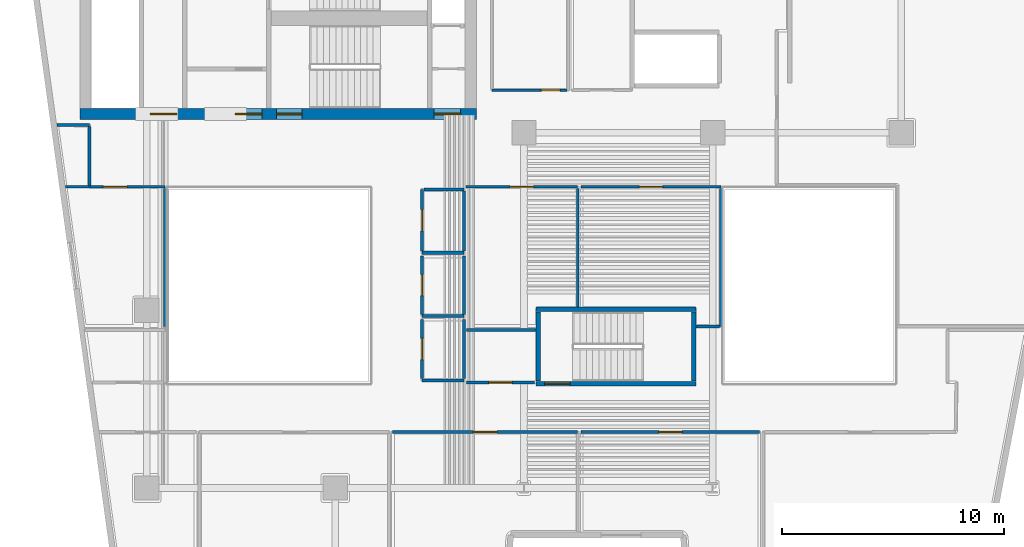
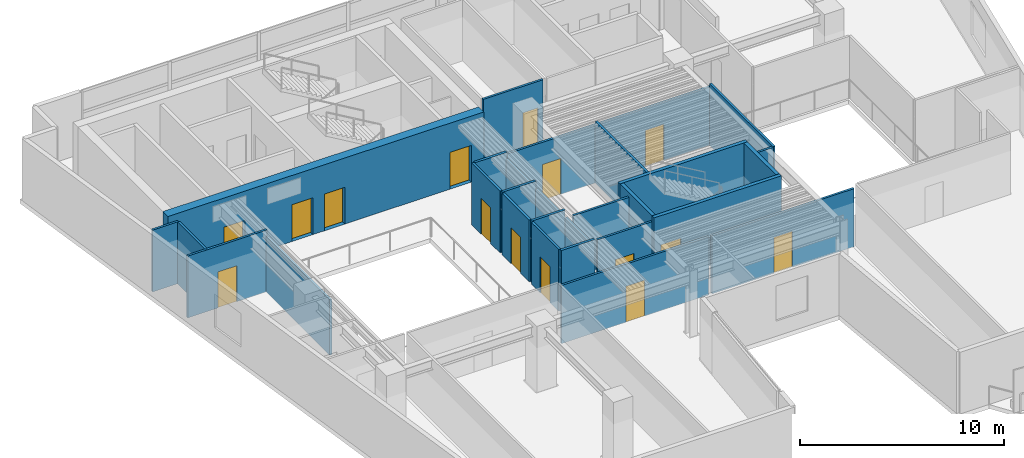
# One storey, part 6 of 12: 29 walls, 15 doors, 15 openings.
"""IFC4 building model written with IfcOpenShell, lengths in metres."""

from ifc_helpers import new_model, si_unit, direction, frame, frame_2d, origin, place, context, subcontext, project, spatial, rectangle, extrude, material, layer, layer_set, type_object, element, fill, save


model = new_model("IFC4")

# Units and contexts
model_context = context("Model", 3, precision=1e-05, world=origin(), true_north=direction((0.0, 1.0)))
body_context = subcontext(model_context, "Body", "Model", "MODEL_VIEW")
ifc_project = project(units=[si_unit("LENGTHUNIT", "METRE"), si_unit("AREAUNIT", "SQUARE_METRE"), si_unit("VOLUMEUNIT", "CUBIC_METRE"), si_unit("PLANEANGLEUNIT", "RADIAN"), si_unit("MASSUNIT", "GRAM", prefix="KILO")], contexts=[model_context])

# Site, building, storey
site_placement = place(None, origin())
site = spatial("IfcSite", under=ifc_project, at=site_placement, CompositionType="ELEMENT")
building_placement = place(site_placement, origin())
building = spatial("IfcBuilding", under=site, at=building_placement, Name="Caeloran Harvest Quay", CompositionType="ELEMENT")
storey_placement = place(building_placement, frame((0.0, 0.0, 150.89990234375)))
storey = spatial("IfcBuildingStorey", under=building, at=storey_placement, Name="L35", CompositionType="ELEMENT", Elevation=150.89990234375)

# Wall, opening, door
ifc_material_1 = material(Name="Twin-Stud Mineral-Wool Acoustic Gypsum Partition", Category="gypsum")
ifc_layer_1 = layer(ifc_material_1, 0.125, Name="Twin-Stud Mineral-Wool Acoustic Gypsum Partition")
ifc_layer_set_1 = layer_set([ifc_layer_1], Name="Twin-Stud Mineral-Wool Acoustic Gypsum Partition")
wall_type_1 = type_object("IfcWallType", Name="INT-WALL-PW-125", PredefinedType="PARTITIONING", material=ifc_layer_set_1)
wall_1_placement = place(storey_placement, frame((27.4326171875, 32.919921875, 0.0), z_axis=(0.0, 0.0, 1.0), x_axis=(-1.0, 0.0, 0.0)))
wall_1 = element("IfcWall", 1, at=wall_1_placement, inside=storey, type_object=wall_type_1, Name="L35 Bioinformatics Briefing Lounge Partition Wall", PredefinedType="PARTITIONING", context=body_context, shape_type="SweptSolid", body=[
    extrude(rectangle(XDim=3.382568359375, YDim=0.125, at=frame_2d((1.69140625, 0.0))), origin(), (0.0, 0.0, 1.0), 3.690185546875),
])
opening_1_placement = place(wall_1_placement, frame((0.303466796875, 0.0, 0.0)))
opening_1 = element("IfcOpeningElement", 2, at=opening_1_placement, cuts=wall_1, Name="Opening SV-01", PredefinedType="OPENING", context=body_context, shape_type="SweptSolid", body=[
    extrude(rectangle(XDim=0.85009765625, YDim=2.10009765625, at=frame_2d((0.425048828125, 1.050048828125))), frame((0.0, 0.072509765625, 0.0), z_axis=(0.0, -1.0, 0.0), x_axis=(1.0, 0.0, 0.0)), (0.0, 0.0, 1.0), 0.14501953125),
])
ifc_material_2 = material(Name="Galvanized Painted Steel", Category="steel")
door_type_1 = type_object("IfcDoorType", Name="INTDOOR-SV-01", OperationType="NOTDEFINED", PredefinedType="DOOR", material=ifc_material_2)
door_1_placement = place(opening_1_placement, origin())
door_1 = element("IfcDoor", 3, at=door_1_placement, inside=storey, type_object=door_type_1, Name="L35 Bioinformatics Briefing Lounge Access Door", OperationType="SINGLE_SWING_RIGHT", OverallHeight=2.10009765625, OverallWidth=0.85009765625, PredefinedType="DOOR", context=body_context, shape_type="SweptSolid", body=[
    extrude(rectangle(XDim=0.85009765625, YDim=2.10009765625, at=frame_2d((0.425048828125, 1.050048828125))), frame((0.0, 0.02490234375, 0.0), z_axis=(0.0, -1.0, 0.0), x_axis=(1.0, 0.0, 0.0)), (0.0, 0.0, 1.0), 0.050048828125),
])
fill(opening_1, door_1)

wall_2_placement = place(storey_placement, frame((19.580078125, 17.52001953125, 0.0), z_axis=(0.0, 0.0, 1.0), x_axis=(1.0, 0.0, 0.0)))
wall_2 = element("IfcWall", 4, at=wall_2_placement, inside=storey, type_object=wall_type_1, Name="Climate Risk Modelling Office Partition Wall", PredefinedType="PARTITIONING", context=body_context, shape_type="SweptSolid", body=[
    extrude(rectangle(XDim=8.33984375, YDim=0.125, at=frame_2d((4.169921875, 0.0))), origin(), (0.0, 0.0, 1.0), 3.47509765625),
])
opening_2_placement = place(wall_2_placement, frame((3.64501953125, 0.0, 0.0)))
opening_2 = element("IfcOpeningElement", 5, at=opening_2_placement, cuts=wall_2, Name="Opening ID-03", PredefinedType="OPENING", context=body_context, shape_type="SweptSolid", body=[
    extrude(rectangle(XDim=1.050048828125, YDim=2.14990234375, at=frame_2d((0.52490234375, 1.074951171875))), frame((0.0, 0.072509765625, 0.0), z_axis=(0.0, -1.0, 0.0), x_axis=(1.0, 0.0, 0.0)), (0.0, 0.0, 1.0), 0.14501953125),
])
ifc_material_3 = material(Name="FSC Solid-Core Oak Timber Leaf", Category="wood")
door_type_2 = type_object("IfcDoorType", Name="INTDOOR-ID-03", OperationType="NOTDEFINED", PredefinedType="DOOR", material=ifc_material_3)
door_2_placement = place(opening_2_placement, origin())
door_2 = element("IfcDoor", 6, at=door_2_placement, inside=storey, type_object=door_type_2, Name="Climate Risk Modelling Office Access Door", OperationType="SINGLE_SWING_RIGHT", OverallHeight=2.14990234375, OverallWidth=1.050048828125, PredefinedType="DOOR", context=body_context, shape_type="SweptSolid", body=[
    extrude(rectangle(XDim=1.050048828125, YDim=2.14990234375, at=frame_2d((0.52490234375, 1.074951171875))), frame((0.0, 0.02490234375, 0.0), z_axis=(0.0, -1.0, 0.0), x_axis=(1.0, 0.0, 0.0)), (0.0, 0.0, 1.0), 0.050048828125),
])
fill(opening_2, door_2)

wall_3_placement = place(storey_placement, frame((28.080078125, 17.52001953125, 0.0), z_axis=(0.0, 0.0, 1.0), x_axis=(1.0, 0.0, 0.0)))
wall_3 = element("IfcWall", 7, at=wall_3_placement, inside=storey, type_object=wall_type_1, Name="Video-Conference Boardroom Partition Wall", PredefinedType="PARTITIONING", context=body_context, shape_type="SweptSolid", body=[
    extrude(rectangle(XDim=8.0400390625, YDim=0.125, at=frame_2d((4.02001953125, 0.0))), origin(), (0.0, 0.0, 1.0), 3.47509765625),
])
opening_3_placement = place(wall_3_placement, frame((3.4951171875, 0.0, 0.0)))
opening_3 = element("IfcOpeningElement", 8, at=opening_3_placement, cuts=wall_3, Name="Opening ID-03", PredefinedType="OPENING", context=body_context, shape_type="SweptSolid", body=[
    extrude(rectangle(XDim=1.050048828125, YDim=2.14990234375, at=frame_2d((0.52490234375, 1.074951171875))), frame((0.0, 0.072509765625, 0.0), z_axis=(0.0, -1.0, 0.0), x_axis=(1.0, 0.0, 0.0)), (0.0, 0.0, 1.0), 0.14501953125),
])
door_3_placement = place(opening_3_placement, origin())
door_3 = element("IfcDoor", 9, at=door_3_placement, inside=storey, type_object=door_type_2, Name="Video-Conference Boardroom Access Door", OperationType="SINGLE_SWING_LEFT", OverallHeight=2.14990234375, OverallWidth=1.050048828125, PredefinedType="DOOR", context=body_context, shape_type="SweptSolid", body=[
    extrude(rectangle(XDim=1.050048828125, YDim=2.14990234375, at=frame_2d((0.52490234375, 1.074951171875))), frame((0.0, 0.02490234375, 0.0), z_axis=(0.0, -1.0, 0.0), x_axis=(1.0, 0.0, 0.0)), (0.0, 0.0, 1.0), 0.050048828125),
])
fill(opening_3, door_3)

wall_4_placement = place(storey_placement, frame((25.9755859375, 19.75, 0.0), z_axis=(0.0, 0.0, 1.0), x_axis=(-1.0, 0.0, 0.0)))
wall_4 = element("IfcWall", 10, at=wall_4_placement, inside=storey, type_object=wall_type_1, Name="Executive Briefing Conference Room Partition Wall", PredefinedType="PARTITIONING", context=body_context, shape_type="SweptSolid", body=[
    extrude(rectangle(XDim=3.065673828125, YDim=0.125, at=frame_2d((1.53271484375, 0.0))), origin(), (0.0, 0.0, 1.0), 3.690185546875),
])
opening_4_placement = place(wall_4_placement, frame((1.0078125, 0.0, 0.0)))
opening_4 = element("IfcOpeningElement", 11, at=opening_4_placement, cuts=wall_4, Name="Opening ID-03", PredefinedType="OPENING", context=body_context, shape_type="SweptSolid", body=[
    extrude(rectangle(XDim=1.050048828125, YDim=2.14990234375, at=frame_2d((0.52490234375, 1.074951171875))), frame((0.0, 0.072509765625, 0.0), z_axis=(0.0, -1.0, 0.0), x_axis=(1.0, 0.0, 0.0)), (0.0, 0.0, 1.0), 0.14501953125),
])
door_4_placement = place(opening_4_placement, origin())
door_4 = element("IfcDoor", 12, at=door_4_placement, inside=storey, type_object=door_type_2, Name="Executive Briefing Conference Room Access Door", OperationType="SINGLE_SWING_RIGHT", OverallHeight=2.14990234375, OverallWidth=1.050048828125, PredefinedType="DOOR", context=body_context, shape_type="SweptSolid", body=[
    extrude(rectangle(XDim=1.050048828125, YDim=2.14990234375, at=frame_2d((0.52490234375, 1.074951171875))), frame((0.0, 0.02490234375, 0.0), z_axis=(0.0, -1.0, 0.0), x_axis=(1.0, 0.0, 0.0)), (0.0, 0.0, 1.0), 0.050048828125),
])
fill(opening_4, door_4)

# Wall
wall_5_placement = place(storey_placement, frame((22.909912109375, 22.1201171875, 0.0), z_axis=(0.0, 0.0, 1.0), x_axis=(1.0, 0.0, 0.0)))
element("IfcWall", 13, at=wall_5_placement, inside=storey, type_object=wall_type_1, Name="Executive Briefing Conference Room Partition Wall", PredefinedType="PARTITIONING", context=body_context, shape_type="SweptSolid", body=[
    extrude(rectangle(XDim=3.135009765625, YDim=0.125, at=frame_2d((1.5673828125, 0.0))), origin(), (0.0, 0.0, 1.0), 3.690185546875),
])

# Wall, opening, door
wall_6_placement = place(storey_placement, frame((22.889892578125, 28.570068359375, 0.0), z_axis=(0.0, 0.0, 1.0), x_axis=(1.0, 0.0, 0.0)))
wall_6 = element("IfcWall", 14, at=wall_6_placement, inside=storey, type_object=wall_type_1, Name="Client Reception Salon Lounge Partition Wall", PredefinedType="PARTITIONING", context=body_context, shape_type="SweptSolid", body=[
    extrude(rectangle(XDim=5.030029296875, YDim=0.125, at=frame_2d((2.51513671875, 0.0))), origin(), (0.0, 0.0, 1.0), 3.47509765625),
])
opening_5_placement = place(wall_6_placement, frame((1.989990234375, 0.0, 0.0)))
opening_5 = element("IfcOpeningElement", 15, at=opening_5_placement, cuts=wall_6, Name="Opening ID-03", PredefinedType="OPENING", context=body_context, shape_type="SweptSolid", body=[
    extrude(rectangle(XDim=1.050048828125, YDim=2.14990234375, at=frame_2d((0.52490234375, 1.074951171875))), frame((0.0, 0.072509765625, 0.0), z_axis=(0.0, -1.0, 0.0), x_axis=(1.0, 0.0, 0.0)), (0.0, 0.0, 1.0), 0.14501953125),
])
door_5_placement = place(opening_5_placement, origin())
door_5 = element("IfcDoor", 16, at=door_5_placement, inside=storey, type_object=door_type_2, Name="Client Reception Salon Lounge Access Door", OperationType="SINGLE_SWING_RIGHT", OverallHeight=2.14990234375, OverallWidth=1.050048828125, PredefinedType="DOOR", context=body_context, shape_type="SweptSolid", body=[
    extrude(rectangle(XDim=1.050048828125, YDim=2.14990234375, at=frame_2d((0.52490234375, 1.074951171875))), frame((0.0, 0.02490234375, 0.0), z_axis=(0.0, -1.0, 0.0), x_axis=(1.0, 0.0, 0.0)), (0.0, 0.0, 1.0), 0.050048828125),
])
fill(opening_5, door_5)

# Wall
wall_7_placement = place(storey_placement, frame((27.919921875, 28.50244140625, 0.0), z_axis=(0.0, 0.0, 1.0), x_axis=(0.0, -1.0, 0.0)))
element("IfcWall", 17, at=wall_7_placement, inside=storey, type_object=wall_type_1, Name="Client Reception Salon Lounge Partition Wall", PredefinedType="PARTITIONING", context=body_context, shape_type="SweptSolid", body=[
    extrude(rectangle(XDim=5.347412109375, YDim=0.125, at=frame_2d((2.673828125, 0.0))), origin(), (0.0, 0.0, 1.0), 3.690185546875),
])

# Wall, opening, door
wall_8_placement = place(storey_placement, frame((28.080078125, 28.570068359375, 0.0), z_axis=(0.0, 0.0, 1.0), x_axis=(1.0, 0.0, 0.0)))
wall_8 = element("IfcWall", 18, at=wall_8_placement, inside=storey, type_object=wall_type_1, Name="Supply-Chain Digital Trading Floor Office 9 Partition Wall", PredefinedType="PARTITIONING", context=body_context, shape_type="SweptSolid", body=[
    extrude(rectangle(XDim=6.2900390625, YDim=0.125, at=frame_2d((3.14501953125, 0.0))), origin(), (0.0, 0.0, 1.0), 3.47509765625),
])
opening_6_placement = place(wall_8_placement, frame((2.6201171875, 0.0, 0.0)))
opening_6 = element("IfcOpeningElement", 19, at=opening_6_placement, cuts=wall_8, Name="Opening ID-03", PredefinedType="OPENING", context=body_context, shape_type="SweptSolid", body=[
    extrude(rectangle(XDim=1.050048828125, YDim=2.14990234375, at=frame_2d((0.52490234375, 1.074951171875))), frame((0.0, 0.072509765625, 0.0), z_axis=(0.0, -1.0, 0.0), x_axis=(1.0, 0.0, 0.0)), (0.0, 0.0, 1.0), 0.14501953125),
])
door_6_placement = place(opening_6_placement, origin())
door_6 = element("IfcDoor", 20, at=door_6_placement, inside=storey, type_object=door_type_2, Name="Supply-Chain Digital Trading Floor Office 9 Access Door", OperationType="SINGLE_SWING_LEFT", OverallHeight=2.14990234375, OverallWidth=1.050048828125, PredefinedType="DOOR", context=body_context, shape_type="SweptSolid", body=[
    extrude(rectangle(XDim=1.050048828125, YDim=2.14990234375, at=frame_2d((0.52490234375, 1.074951171875))), frame((0.0, 0.02490234375, 0.0), z_axis=(0.0, -1.0, 0.0), x_axis=(1.0, 0.0, 0.0)), (0.0, 0.0, 1.0), 0.050048828125),
])
fill(opening_6, door_6)

# Walls
wall_9_placement = place(storey_placement, frame((34.3701171875, 28.50244140625, 0.0), z_axis=(0.0, 0.0, 1.0), x_axis=(0.0, -1.0, 0.0)))
element("IfcWall", 21, at=wall_9_placement, inside=storey, type_object=wall_type_1, Name="Supply-Chain Digital Trading Floor Office 9 Partition Wall", PredefinedType="PARTITIONING", context=body_context, shape_type="SweptSolid", body=[
    extrude(rectangle(XDim=6.222412109375, YDim=0.125, at=frame_2d((3.111328125, 0.0))), origin(), (0.0, 0.0, 1.0), 3.690185546875),
])
wall_10_placement = place(storey_placement, frame((34.302490234375, 22.280029296875, 0.0), z_axis=(0.0, 0.0, 1.0), x_axis=(-1.0, 0.0, 0.0)))
element("IfcWall", 22, at=wall_10_placement, inside=storey, type_object=wall_type_1, Name="Supply-Chain Digital Trading Floor Office 9 Partition Wall", PredefinedType="PARTITIONING", context=body_context, shape_type="SweptSolid", body=[
    extrude(rectangle(XDim=1.047607421875, YDim=0.125, at=frame_2d((0.52392578125, 0.0))), origin(), (0.0, 0.0, 1.0), 3.690185546875),
])
wall_11_placement = place(storey_placement, frame((4.44775390625, 31.35009765625, 0.0), z_axis=(0.0, 0.0, 1.0), x_axis=(1.0, 0.0, 0.0)))
element("IfcWall", 23, at=wall_11_placement, inside=storey, type_object=wall_type_1, Name="Climate Risk Modelling Office 10 Partition Wall", PredefinedType="PARTITIONING", context=body_context, shape_type="SweptSolid", body=[
    extrude(rectangle(XDim=1.47216796875, YDim=0.125, at=frame_2d((0.736083984375, 0.0))), origin(), (0.0, 0.0, 1.0), 3.690185546875),
])
wall_12_placement = place(storey_placement, frame((5.919921875, 31.282470703125, 0.0), z_axis=(0.0, 0.0, 1.0), x_axis=(0.0, -1.0, 0.0)))
element("IfcWall", 24, at=wall_12_placement, inside=storey, type_object=wall_type_1, Name="Climate Risk Modelling Office 10 Partition Wall", PredefinedType="PARTITIONING", context=body_context, shape_type="SweptSolid", body=[
    extrude(rectangle(XDim=2.682373046875, YDim=0.125, at=frame_2d((1.34130859375, 0.0))), origin(), (0.0, 0.0, 1.0), 3.690185546875),
])

# Wall, opening, door
wall_13_placement = place(storey_placement, frame((4.832275390625, 28.570068359375, 0.0), z_axis=(0.0, 0.0, 1.0), x_axis=(1.0, 0.0, 0.0)))
wall_13 = element("IfcWall", 25, at=wall_13_placement, inside=storey, type_object=wall_type_1, Name="Climate Risk Modelling Office 10 Partition Wall", PredefinedType="PARTITIONING", context=body_context, shape_type="SweptSolid", body=[
    extrude(rectangle(XDim=4.48779296875, YDim=0.125, at=frame_2d((2.243896484375, 0.0))), origin(), (0.0, 0.0, 1.0), 3.690185546875),
])
opening_7_placement = place(wall_13_placement, frame((1.718994140625, 0.0, 0.0)))
opening_7 = element("IfcOpeningElement", 26, at=opening_7_placement, cuts=wall_13, Name="Opening ID-03", PredefinedType="OPENING", context=body_context, shape_type="SweptSolid", body=[
    extrude(rectangle(XDim=1.050048828125, YDim=2.14990234375, at=frame_2d((0.52490234375, 1.074951171875))), frame((0.0, 0.072509765625, 0.0), z_axis=(0.0, -1.0, 0.0), x_axis=(1.0, 0.0, 0.0)), (0.0, 0.0, 1.0), 0.14501953125),
])
door_7_placement = place(opening_7_placement, origin())
door_7 = element("IfcDoor", 27, at=door_7_placement, inside=storey, type_object=door_type_2, Name="Climate Risk Modelling Office 10 Access Door", OperationType="SINGLE_SWING_RIGHT", OverallHeight=2.14990234375, OverallWidth=1.050048828125, PredefinedType="DOOR", context=body_context, shape_type="SweptSolid", body=[
    extrude(rectangle(XDim=1.050048828125, YDim=2.14990234375, at=frame_2d((0.52490234375, 1.074951171875))), frame((0.0, 0.02490234375, 0.0), z_axis=(0.0, -1.0, 0.0), x_axis=(1.0, 0.0, 0.0)), (0.0, 0.0, 1.0), 0.050048828125),
])
fill(opening_7, door_7)

# Walls
wall_14_placement = place(storey_placement, frame((9.320068359375, 28.50244140625, 0.0), z_axis=(0.0, 0.0, 1.0), x_axis=(0.0, -1.0, 0.0)))
element("IfcWall", 28, at=wall_14_placement, inside=storey, type_object=wall_type_1, Name="Climate Risk Modelling Office 10 Partition Wall", PredefinedType="PARTITIONING", context=body_context, shape_type="SweptSolid", body=[
    extrude(rectangle(XDim=6.222412109375, YDim=0.125, at=frame_2d((3.111328125, 0.0))), origin(), (0.0, 0.0, 1.0), 3.315185546875),
])
ifc_material_4 = material(Name="Moisture-Resistant Cement-Board Sanitary Partition", Category="gypsum")
ifc_layer_2 = layer(ifc_material_4, 0.139892578125, Name="Moisture-Resistant Cement-Board Sanitary Partition")
ifc_layer_set_2 = layer_set([ifc_layer_2], Name="Moisture-Resistant Cement-Board Sanitary Partition")
wall_type_2 = type_object("IfcWallType", Name="INT-WALL-PW-140", PredefinedType="PARTITIONING", material=ifc_layer_set_2)
wall_15_placement = place(storey_placement, frame((22.800048828125, 25.60009765625, 0.0), z_axis=(0.0, 0.0, 1.0), x_axis=(-1.0, 0.0, 0.0)))
element("IfcWall", 29, at=wall_15_placement, inside=storey, type_object=wall_type_2, Name="L35 Male Washroom WC Partition Wall", PredefinedType="PARTITIONING", context=body_context, shape_type="SweptSolid", body=[
    extrude(rectangle(XDim=1.89013671875, YDim=0.139892578125, at=frame_2d((0.945068359375, 0.0))), origin(), (0.0, 0.0, 1.0), 3.690185546875),
])

# Wall, opening, door
wall_16_placement = place(storey_placement, frame((20.909912109375, 25.675048828125, 0.0), z_axis=(0.0, 0.0, 1.0), x_axis=(0.0, 1.0, 0.0)))
wall_16 = element("IfcWall", 30, at=wall_16_placement, inside=storey, type_object=wall_type_2, Name="L35 Male Washroom WC Partition Wall", PredefinedType="PARTITIONING", context=body_context, shape_type="SweptSolid", body=[
    extrude(rectangle(XDim=2.77490234375, YDim=0.139892578125, at=frame_2d((1.387451171875, 0.0))), origin(), (0.0, 0.0, 1.0), 3.690185546875),
])
opening_8_placement = place(wall_16_placement, frame((0.91259765625, 0.0, 0.0)))
opening_8 = element("IfcOpeningElement", 31, at=opening_8_placement, cuts=wall_16, Name="Opening WC-01", PredefinedType="OPENING", context=body_context, shape_type="SweptSolid", body=[
    extrude(rectangle(XDim=0.949951171875, YDim=2.14990234375, at=frame_2d((0.47509765625, 1.074951171875))), frame((0.0, 0.080078125, 0.0), z_axis=(0.0, -1.0, 0.0), x_axis=(1.0, 0.0, 0.0)), (0.0, 0.0, 1.0), 0.159912109375),
])
ifc_material_5 = material(Name="High-Pressure Laminate Moisture-Resistant Timber", Category="wood")
door_type_3 = type_object("IfcDoorType", Name="INTDOOR-WC-01", OperationType="NOTDEFINED", PredefinedType="DOOR", material=ifc_material_5)
door_8_placement = place(opening_8_placement, origin())
door_8 = element("IfcDoor", 32, at=door_8_placement, inside=storey, type_object=door_type_3, Name="L35 Male Washroom WC Access Door", OperationType="SINGLE_SWING_RIGHT", OverallHeight=2.14990234375, OverallWidth=0.949951171875, PredefinedType="DOOR", context=body_context, shape_type="SweptSolid", body=[
    extrude(rectangle(XDim=0.949951171875, YDim=2.14990234375, at=frame_2d((0.47509765625, 1.074951171875))), frame((0.0, 0.02490234375, 0.0), z_axis=(0.0, -1.0, 0.0), x_axis=(1.0, 0.0, 0.0)), (0.0, 0.0, 1.0), 0.050048828125),
])
fill(opening_8, door_8)

# Walls
wall_17_placement = place(storey_placement, frame((20.985107421875, 28.449951171875, 0.0), z_axis=(0.0, 0.0, 1.0), x_axis=(1.0, 0.0, 0.0)))
element("IfcWall", 33, at=wall_17_placement, inside=storey, type_object=wall_type_2, Name="L35 Male Washroom WC Partition Wall", PredefinedType="PARTITIONING", context=body_context, shape_type="SweptSolid", body=[
    extrude(rectangle(XDim=1.81494140625, YDim=0.139892578125, at=frame_2d((0.907470703125, 0.0))), origin(), (0.0, 0.0, 1.0), 3.690185546875),
])
wall_18_placement = place(storey_placement, frame((22.800048828125, 28.375, 0.0), z_axis=(0.0, 0.0, 1.0), x_axis=(0.0, -1.0, 0.0)))
element("IfcWall", 34, at=wall_18_placement, inside=storey, type_object=wall_type_2, Name="L35 Male Washroom WC Partition Wall", PredefinedType="PARTITIONING", context=body_context, shape_type="SweptSolid", body=[
    extrude(rectangle(XDim=2.699951171875, YDim=0.139892578125, at=frame_2d((1.35009765625, 0.0))), origin(), (0.0, 0.0, 1.0), 3.315185546875),
])
wall_19_placement = place(storey_placement, frame((22.800048828125, 22.75, 0.0), z_axis=(0.0, 0.0, 1.0), x_axis=(-1.0, 0.0, 0.0)))
element("IfcWall", 35, at=wall_19_placement, inside=storey, type_object=wall_type_2, Name="L35 Female Washroom WC Partition Wall", PredefinedType="PARTITIONING", context=body_context, shape_type="SweptSolid", body=[
    extrude(rectangle(XDim=1.89013671875, YDim=0.139892578125, at=frame_2d((0.945068359375, 0.0))), origin(), (0.0, 0.0, 1.0), 3.690185546875),
])

# Wall, opening, door
wall_20_placement = place(storey_placement, frame((20.909912109375, 22.824951171875, 0.0), z_axis=(0.0, 0.0, 1.0), x_axis=(0.0, 1.0, 0.0)))
wall_20 = element("IfcWall", 36, at=wall_20_placement, inside=storey, type_object=wall_type_2, Name="L35 Female Washroom WC Partition Wall", PredefinedType="PARTITIONING", context=body_context, shape_type="SweptSolid", body=[
    extrude(rectangle(XDim=2.625, YDim=0.139892578125, at=frame_2d((1.3125, 0.0))), origin(), (0.0, 0.0, 1.0), 3.690185546875),
])
opening_9_placement = place(wall_20_placement, frame((0.83740234375, 0.0, 0.0)))
opening_9 = element("IfcOpeningElement", 37, at=opening_9_placement, cuts=wall_20, Name="Opening WC-01", PredefinedType="OPENING", context=body_context, shape_type="SweptSolid", body=[
    extrude(rectangle(XDim=0.949951171875, YDim=2.14990234375, at=frame_2d((0.47509765625, 1.074951171875))), frame((0.0, 0.080078125, 0.0), z_axis=(0.0, -1.0, 0.0), x_axis=(1.0, 0.0, 0.0)), (0.0, 0.0, 1.0), 0.159912109375),
])
door_9_placement = place(opening_9_placement, origin())
door_9 = element("IfcDoor", 38, at=door_9_placement, inside=storey, type_object=door_type_3, Name="L35 Female Washroom WC Access Door", OperationType="SINGLE_SWING_LEFT", OverallHeight=2.14990234375, OverallWidth=0.949951171875, PredefinedType="DOOR", context=body_context, shape_type="SweptSolid", body=[
    extrude(rectangle(XDim=0.949951171875, YDim=2.14990234375, at=frame_2d((0.47509765625, 1.074951171875))), frame((0.0, 0.02490234375, 0.0), z_axis=(0.0, -1.0, 0.0), x_axis=(1.0, 0.0, 0.0)), (0.0, 0.0, 1.0), 0.050048828125),
])
fill(opening_9, door_9)

# Walls
wall_21_placement = place(storey_placement, frame((22.800048828125, 25.449951171875, 0.0), z_axis=(0.0, 0.0, 1.0), x_axis=(0.0, -1.0, 0.0)))
element("IfcWall", 39, at=wall_21_placement, inside=storey, type_object=wall_type_2, Name="L35 Female Washroom WC Partition Wall", PredefinedType="PARTITIONING", context=body_context, shape_type="SweptSolid", body=[
    extrude(rectangle(XDim=2.625, YDim=0.139892578125, at=frame_2d((1.3125, 0.0))), origin(), (0.0, 0.0, 1.0), 3.315185546875),
])
wall_22_placement = place(storey_placement, frame((22.800048828125, 19.85009765625, 0.0), z_axis=(0.0, 0.0, 1.0), x_axis=(-1.0, 0.0, 0.0)))
element("IfcWall", 40, at=wall_22_placement, inside=storey, type_object=wall_type_2, Name="L35 Accessible Unisex Washroom WC Partition Wall", PredefinedType="PARTITIONING", context=body_context, shape_type="SweptSolid", body=[
    extrude(rectangle(XDim=1.89013671875, YDim=0.139892578125, at=frame_2d((0.945068359375, 0.0))), origin(), (0.0, 0.0, 1.0), 3.690185546875),
])

# Wall, opening, door
wall_23_placement = place(storey_placement, frame((20.909912109375, 19.925048828125, 0.0), z_axis=(0.0, 0.0, 1.0), x_axis=(0.0, 1.0, 0.0)))
wall_23 = element("IfcWall", 41, at=wall_23_placement, inside=storey, type_object=wall_type_2, Name="L35 Accessible Unisex Washroom WC Partition Wall", PredefinedType="PARTITIONING", context=body_context, shape_type="SweptSolid", body=[
    extrude(rectangle(XDim=2.675048828125, YDim=0.139892578125, at=frame_2d((1.33740234375, 0.0))), origin(), (0.0, 0.0, 1.0), 3.690185546875),
])
opening_10_placement = place(wall_23_placement, frame((0.862548828125, 0.0, 0.0)))
opening_10 = element("IfcOpeningElement", 42, at=opening_10_placement, cuts=wall_23, Name="Opening WC-01", PredefinedType="OPENING", context=body_context, shape_type="SweptSolid", body=[
    extrude(rectangle(XDim=0.949951171875, YDim=2.14990234375, at=frame_2d((0.47509765625, 1.074951171875))), frame((0.0, 0.080078125, 0.0), z_axis=(0.0, -1.0, 0.0), x_axis=(1.0, 0.0, 0.0)), (0.0, 0.0, 1.0), 0.159912109375),
])
door_10_placement = place(opening_10_placement, origin())
door_10 = element("IfcDoor", 43, at=door_10_placement, inside=storey, type_object=door_type_3, Name="L35 Accessible Unisex Washroom WC Access Door", OperationType="SINGLE_SWING_RIGHT", OverallHeight=2.14990234375, OverallWidth=0.949951171875, PredefinedType="DOOR", context=body_context, shape_type="SweptSolid", body=[
    extrude(rectangle(XDim=0.949951171875, YDim=2.14990234375, at=frame_2d((0.47509765625, 1.074951171875))), frame((0.0, 0.02490234375, 0.0), z_axis=(0.0, -1.0, 0.0), x_axis=(1.0, 0.0, 0.0)), (0.0, 0.0, 1.0), 0.050048828125),
])
fill(opening_10, door_10)

# Wall
wall_24_placement = place(storey_placement, frame((22.800048828125, 22.60009765625, 0.0), z_axis=(0.0, 0.0, 1.0), x_axis=(0.0, -1.0, 0.0)))
element("IfcWall", 44, at=wall_24_placement, inside=storey, type_object=wall_type_2, Name="L35 Accessible Unisex Washroom WC Partition Wall", PredefinedType="PARTITIONING", context=body_context, shape_type="SweptSolid", body=[
    extrude(rectangle(XDim=2.675048828125, YDim=0.139892578125, at=frame_2d((1.33740234375, 0.0))), origin(), (0.0, 0.0, 1.0), 3.315185546875),
])

# Wall, openings, doors
ifc_material_6 = material(Name="Concrete C70/85", Category="concrete")
ifc_layer_3 = layer(ifc_material_6, 0.5, Name="Concrete C70/85")
ifc_layer_set_3 = layer_set([ifc_layer_3], Name="Concrete C70/85")
wall_type_3 = type_object("IfcWallType", Name="STR-WALL-CW-500", PredefinedType="SHEAR", material=ifc_layer_set_3)
wall_25_placement = place(storey_placement, frame((5.5, 31.85009765625, 0.0), z_axis=(0.0, 0.0, 1.0), x_axis=(1.0, 0.0, 0.0)))
wall_25 = element("IfcWall", 45, at=wall_25_placement, inside=storey, type_object=wall_type_3, Name="L35 Rear Core Shear Wall S", PredefinedType="SHEAR", context=body_context, shape_type="SweptSolid", body=[
    extrude(rectangle(XDim=17.85009765625, YDim=0.5, at=frame_2d((8.925048828125, 0.0))), origin(), (0.0, 0.0, 1.0), 3.9501953125),
])
opening_11_placement = place(wall_25_placement, frame((3.14990234375, 0.0, 0.0)))
opening_11 = element("IfcOpeningElement", 46, at=opening_11_placement, cuts=wall_25, Name="Opening FD-01", PredefinedType="OPENING", context=body_context, shape_type="SweptSolid", body=[
    extrude(rectangle(XDim=1.199951171875, YDim=2.199951171875, at=frame_2d((0.60009765625, 1.10009765625))), frame((0.0, 0.260009765625, 0.0), z_axis=(0.0, -1.0, 0.0), x_axis=(1.0, 0.0, 0.0)), (0.0, 0.0, 1.0), 0.52001953125),
])
opening_12_placement = place(wall_25_placement, frame((7.0, 0.0, 0.0)))
opening_12 = element("IfcOpeningElement", 47, at=opening_12_placement, cuts=wall_25, Name="Opening FD-01", PredefinedType="OPENING", context=body_context, shape_type="SweptSolid", body=[
    extrude(rectangle(XDim=1.199951171875, YDim=2.199951171875, at=frame_2d((0.60009765625, 1.10009765625))), frame((0.0, 0.260009765625, 0.0), z_axis=(0.0, -1.0, 0.0), x_axis=(1.0, 0.0, 0.0)), (0.0, 0.0, 1.0), 0.52001953125),
])
opening_13_placement = place(wall_25_placement, frame((8.85009765625, 0.0, 0.0)))
opening_13 = element("IfcOpeningElement", 48, at=opening_13_placement, cuts=wall_25, Name="Opening SD-01", PredefinedType="OPENING", context=body_context, shape_type="SweptSolid", body=[
    extrude(rectangle(XDim=1.14990234375, YDim=2.199951171875, at=frame_2d((0.574951171875, 1.10009765625))), frame((0.0, 0.260009765625, 0.0), z_axis=(0.0, -1.0, 0.0), x_axis=(1.0, 0.0, 0.0)), (0.0, 0.0, 1.0), 0.52001953125),
])
opening_14_placement = place(wall_25_placement, frame((15.949951171875, 0.0, 0.0)))
opening_14 = element("IfcOpeningElement", 49, at=opening_14_placement, cuts=wall_25, Name="Opening FD-01", PredefinedType="OPENING", context=body_context, shape_type="SweptSolid", body=[
    extrude(rectangle(XDim=1.199951171875, YDim=2.199951171875, at=frame_2d((0.60009765625, 1.10009765625))), frame((0.0, 0.260009765625, 0.0), z_axis=(0.0, -1.0, 0.0), x_axis=(1.0, 0.0, 0.0)), (0.0, 0.0, 1.0), 0.52001953125),
])
ifc_material_7 = material(Name="Steel", Category="steel")
door_type_4 = type_object("IfcDoorType", Name="INTDOOR-FD-01", OperationType="NOTDEFINED", PredefinedType="DOOR", material=ifc_material_7)
door_11_placement = place(opening_11_placement, origin())
door_11 = element("IfcDoor", 50, at=door_11_placement, inside=storey, type_object=door_type_4, Name="L35 High-Rise Lift Lobby Fire Door", OperationType="SINGLE_SWING_LEFT", OverallHeight=2.199951171875, OverallWidth=1.199951171875, PredefinedType="DOOR", context=body_context, shape_type="SweptSolid", body=[
    extrude(rectangle(XDim=1.199951171875, YDim=2.199951171875, at=frame_2d((0.60009765625, 1.10009765625))), frame((0.0, 0.02490234375, 0.0), z_axis=(0.0, -1.0, 0.0), x_axis=(1.0, 0.0, 0.0)), (0.0, 0.0, 1.0), 0.050048828125),
])
fill(opening_11, door_11)
door_12_placement = place(opening_12_placement, origin())
door_12 = element("IfcDoor", 51, at=door_12_placement, inside=storey, type_object=door_type_4, Name="L35 Firefighting Lobby Vestibule Fire Door", OperationType="SINGLE_SWING_RIGHT", OverallHeight=2.199951171875, OverallWidth=1.199951171875, PredefinedType="DOOR", context=body_context, shape_type="SweptSolid", body=[
    extrude(rectangle(XDim=1.199951171875, YDim=2.199951171875, at=frame_2d((0.60009765625, 1.10009765625))), frame((0.0, 0.02490234375, 0.0), z_axis=(0.0, -1.0, 0.0), x_axis=(1.0, 0.0, 0.0)), (0.0, 0.0, 1.0), 0.050048828125),
])
fill(opening_12, door_12)
door_13_placement = place(opening_14_placement, origin())
door_13 = element("IfcDoor", 52, at=door_13_placement, inside=storey, type_object=door_type_4, Name="L35 Service Lift Lobby Fire Door", OperationType="SINGLE_SWING_RIGHT", OverallHeight=2.199951171875, OverallWidth=1.199951171875, PredefinedType="DOOR", context=body_context, shape_type="SweptSolid", body=[
    extrude(rectangle(XDim=1.199951171875, YDim=2.199951171875, at=frame_2d((0.60009765625, 1.10009765625))), frame((0.0, 0.02490234375, 0.0), z_axis=(0.0, -1.0, 0.0), x_axis=(1.0, 0.0, 0.0)), (0.0, 0.0, 1.0), 0.050048828125),
])
fill(opening_14, door_13)
door_type_5 = type_object("IfcDoorType", Name="INTDOOR-SD-01", OperationType="NOTDEFINED", PredefinedType="DOOR", material=ifc_material_7)
door_14_placement = place(opening_13_placement, origin())
door_14 = element("IfcDoor", 53, at=door_14_placement, inside=storey, type_object=door_type_5, Name="L35 Protected Stair ST-C2 Exit Door", OperationType="SINGLE_SWING_LEFT", OverallHeight=2.199951171875, OverallWidth=1.14990234375, PredefinedType="DOOR", context=body_context, shape_type="SweptSolid", body=[
    extrude(rectangle(XDim=1.14990234375, YDim=2.199951171875, at=frame_2d((0.574951171875, 1.10009765625))), frame((0.0, 0.02490234375, 0.0), z_axis=(0.0, -1.0, 0.0), x_axis=(1.0, 0.0, 0.0)), (0.0, 0.0, 1.0), 0.050048828125),
])
fill(opening_13, door_14)

# Wall, opening, door
ifc_material_8 = material(Name="Concrete C60/75", Category="concrete")
ifc_layer_4 = layer(ifc_material_8, 0.199951171875, Name="Concrete C60/75")
ifc_layer_set_4 = layer_set([ifc_layer_4], Name="Concrete C60/75")
wall_type_4 = type_object("IfcWallType", Name="STR-WALL-SW-200", PredefinedType="SHEAR", material=ifc_layer_set_4)
wall_26_placement = place(storey_placement, frame((26.050048828125, 19.699951171875, 0.0), z_axis=(0.0, 0.0, 1.0), x_axis=(1.0, 0.0, 0.0)))
wall_26 = element("IfcWall", 54, at=wall_26_placement, inside=storey, type_object=wall_type_4, Name="L35 Stair ST-W1 S RC Shaft Shear Wall", PredefinedType="SHEAR", context=body_context, shape_type="SweptSolid", body=[
    extrude(rectangle(XDim=7.199951171875, YDim=0.199951171875, at=frame_2d((3.60009765625, 0.0))), origin(), (0.0, 0.0, 1.0), 3.9501953125),
])
opening_15_placement = place(wall_26_placement, frame((0.3798828125, 0.0, 0.0)))
opening_15 = element("IfcOpeningElement", 55, at=opening_15_placement, cuts=wall_26, Name="Opening SD-01", PredefinedType="OPENING", context=body_context, shape_type="SweptSolid", body=[
    extrude(rectangle(XDim=1.14990234375, YDim=2.199951171875, at=frame_2d((0.574951171875, 1.10009765625))), frame((0.0, 0.10986328125, 0.0), z_axis=(0.0, -1.0, 0.0), x_axis=(1.0, 0.0, 0.0)), (0.0, 0.0, 1.0), 0.219970703125),
])
door_15_placement = place(opening_15_placement, origin())
door_15 = element("IfcDoor", 56, at=door_15_placement, inside=storey, type_object=door_type_5, Name="L35 Protected Exit Stair ST-W1 Fire Door", OperationType="SINGLE_SWING_RIGHT", OverallHeight=2.199951171875, OverallWidth=1.14990234375, PredefinedType="DOOR", context=body_context, shape_type="SweptSolid", body=[
    extrude(rectangle(XDim=1.14990234375, YDim=2.199951171875, at=frame_2d((0.574951171875, 1.10009765625))), frame((0.0, 0.02490234375, 0.0), z_axis=(0.0, -1.0, 0.0), x_axis=(1.0, 0.0, 0.0)), (0.0, 0.0, 1.0), 0.050048828125),
])
fill(opening_15, door_15)

# Walls
wall_27_placement = place(storey_placement, frame((26.050048828125, 23.050048828125, 0.0), z_axis=(0.0, 0.0, 1.0), x_axis=(1.0, 0.0, 0.0)))
element("IfcWall", 57, at=wall_27_placement, inside=storey, type_object=wall_type_4, Name="L35 Stair ST-W1 N RC Shaft Shear Wall", PredefinedType="SHEAR", context=body_context, shape_type="SweptSolid", body=[
    extrude(rectangle(XDim=7.199951171875, YDim=0.199951171875, at=frame_2d((3.60009765625, 0.0))), origin(), (0.0, 0.0, 1.0), 3.9501953125),
])
for number, where, z_axis, x_axis, name in (
    (58, (26.14990234375, 19.81005859375, 0.0), (0.0, 0.0, 1.0), (0.0, 1.0, 0.0), "L35 Stair ST-W1 W RC Shaft Shear Wall"),
    (59, (33.14990234375, 19.81005859375, 0.0), (0.0, 0.0, 1.0), (0.0, 1.0, 0.0), "L35 Stair ST-W1 E RC Shaft Shear Wall"),
):
    element("IfcWall", number, at=place(storey_placement, frame(where, z_axis=z_axis, x_axis=x_axis)), inside=storey, type_object=wall_type_4, Name=name, PredefinedType="SHEAR", context=body_context, shape_type="SweptSolid", body=[
        extrude(rectangle(XDim=3.1298828125, YDim=0.199951171875, at=frame_2d((1.56494140625, 0.0))), origin(), (0.0, 0.0, 1.0), 3.9501953125),
    ])

save(model, "model.ifc")
